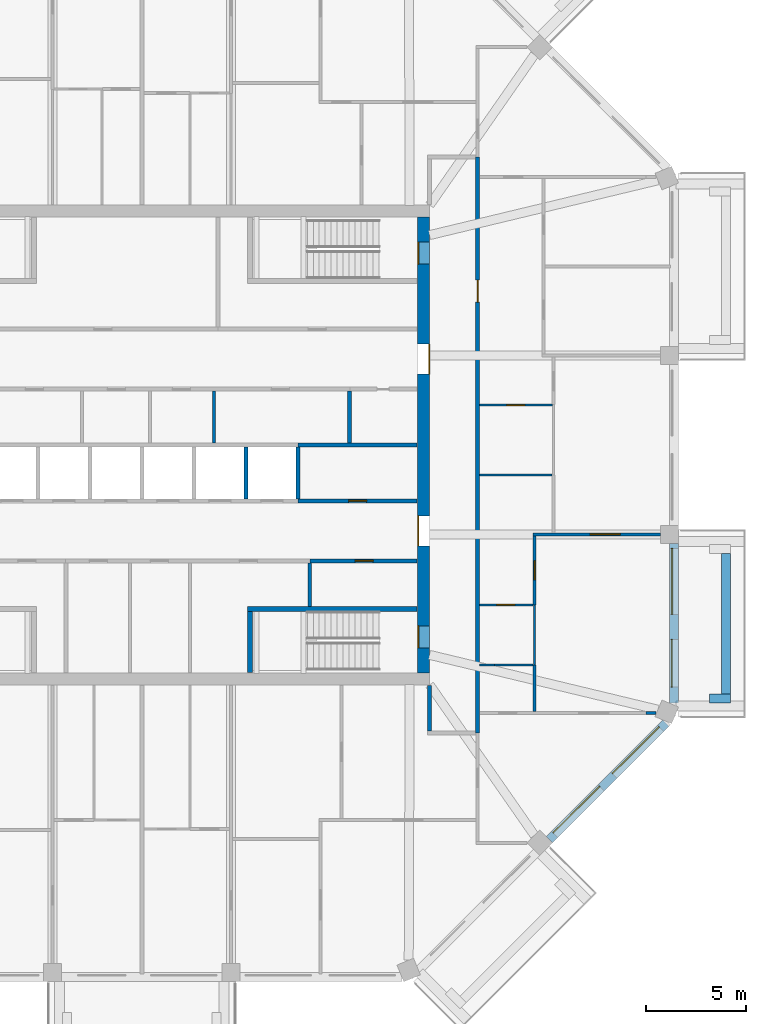
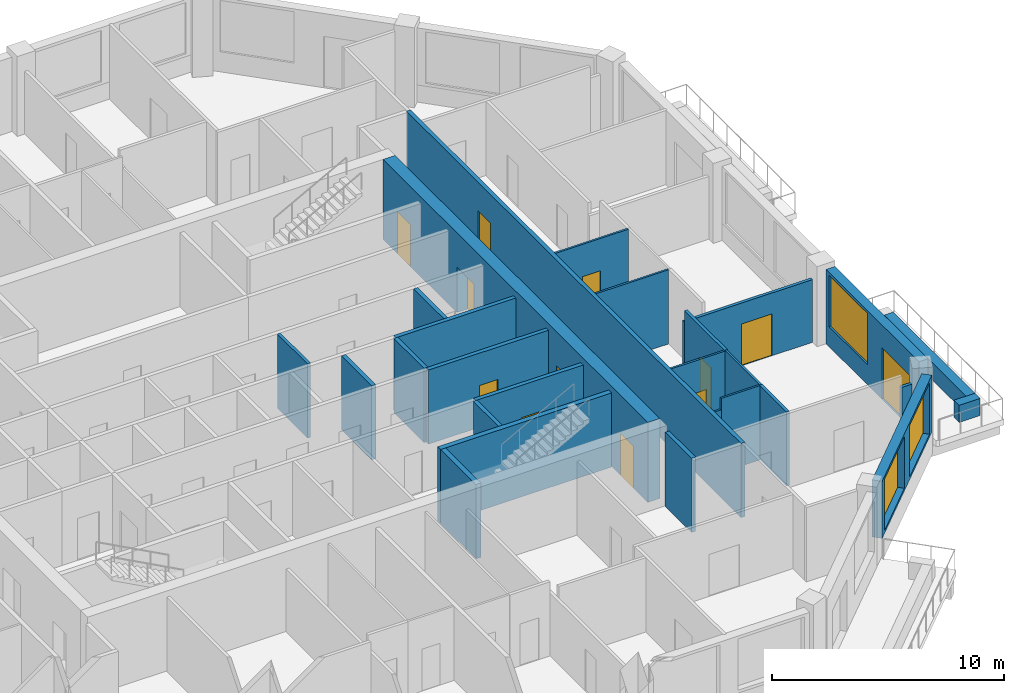
# One storey, part 6 of 12: 27 walls, 12 doors, 3 windows, 15 openings.
"""IFC4 building model written with IfcOpenShell, lengths in metres."""

from ifc_helpers import new_model, si_unit, direction, frame, frame_2d, origin, place, context, subcontext, project, spatial, rectangle, extrude, material, layer, layer_set, type_object, element, fill, save


model = new_model("IFC4")

# Units and contexts
model_context = context("Model", 3, precision=1e-05, world=origin(), true_north=direction((0.0, 1.0)))
body_context = subcontext(model_context, "Body", "Model", "MODEL_VIEW")
ifc_project = project(units=[si_unit("LENGTHUNIT", "METRE"), si_unit("AREAUNIT", "SQUARE_METRE"), si_unit("VOLUMEUNIT", "CUBIC_METRE"), si_unit("PLANEANGLEUNIT", "RADIAN"), si_unit("MASSUNIT", "GRAM", prefix="KILO")], contexts=[model_context])

# Site, building, storey
site_placement = place(None, origin())
site = spatial("IfcSite", under=ifc_project, at=site_placement, CompositionType="ELEMENT")
building_placement = place(site_placement, origin())
building = spatial("IfcBuilding", under=site, at=building_placement, Name="Msitu Wima Residences", CompositionType="ELEMENT")
storey_placement = place(building_placement, frame((0.0, 0.0, 310.5)))
storey = spatial("IfcBuildingStorey", under=building, at=storey_placement, Name="L72", CompositionType="ELEMENT", Elevation=310.5)

# Walls
ifc_material_1 = material(Name="Facing brick")
ifc_layer_1 = layer(ifc_material_1, 0.06494140625, Name="Facing brick")
ifc_material_2 = material(Name="Concrete C40/50", Category="concrete")
ifc_layer_2 = layer(ifc_material_2, 0.156005859375, Name="Concrete C40/50")
ifc_material_3 = material(Name="Waterproofing membrane")
ifc_layer_3 = layer(ifc_material_3, 0.00390625, Name="Waterproofing membrane")
ifc_material_4 = material(Name="Planting soil and planting")
ifc_layer_4 = layer(ifc_material_4, 0.22509765625, Name="Planting soil and planting")
ifc_layer_set_1 = layer_set([ifc_layer_1, ifc_layer_2, ifc_layer_3, ifc_layer_4], Name="Concrete C40/50")
wall_type_1 = type_object("IfcWallType", Name="Balcony planter PLANTER PL450", PredefinedType="USERDEFINED", material=ifc_layer_set_1)
wall_1_placement = place(storey_placement, frame((29.22509765625, -12.455810546875, 0.0), z_axis=(0.0, 0.0, 1.0), x_axis=(0.0, 1.0, 0.0)))
element("IfcWall", 1, at=wall_1_placement, inside=storey, type_object=wall_type_1, Name="Balcony planter E0 L72", ObjectType="PLANTER", PredefinedType="USERDEFINED", context=body_context, shape_type="SweptSolid", body=[
    extrude(rectangle(XDim=7.037109375, YDim=0.449951171875, at=frame_2d((3.5185546875, 0.0))), origin(), (0.0, 0.0, 1.0), 0.89990234375),
])
wall_2_placement = place(storey_placement, frame((28.39990234375, -12.680908203125, 0.0), z_axis=(0.0, 0.0, 1.0), x_axis=(1.0, 0.0, 0.0)))
element("IfcWall", 2, at=wall_2_placement, inside=storey, type_object=wall_type_1, Name="Balcony planter E0 L72", ObjectType="PLANTER", PredefinedType="USERDEFINED", context=body_context, shape_type="SweptSolid", body=[
    extrude(rectangle(XDim=1.050048828125, YDim=0.449951171875, at=frame_2d((0.52490234375, 0.0))), origin(), (0.0, 0.0, 1.0), 0.89990234375),
])

# Wall, openings, door, window
ifc_material_5 = material(Name="Brick (red buff mix)", Category="masonry")
ifc_layer_5 = layer(ifc_material_5, 0.449951171875)
ifc_layer_set_2 = layer_set([ifc_layer_5], Name="Brick (red buff mix)")
wall_type_2 = type_object("IfcWallType", Name="Brick infill wall BW450", PredefinedType="SOLIDWALL", material=ifc_layer_set_2)
wall_3_placement = place(storey_placement, frame((26.625, -12.918701171875, 0.0), z_axis=(0.0, 0.0, 1.0), x_axis=(0.0, 1.0, 0.0)))
wall_3 = element("IfcWall", 3, at=wall_3_placement, inside=storey, type_object=wall_type_2, Name="Brick infill wall L72 E0", PredefinedType="SOLIDWALL", context=body_context, shape_type="SweptSolid", body=[
    extrude(rectangle(XDim=8.0, YDim=0.449951171875, at=frame_2d((4.0, 0.0))), origin(), (0.0, 0.0, 1.0), 3.89990234375),
])
opening_1_placement = place(wall_3_placement, frame((0.800048828125, 0.0, 0.0)))
opening_1 = element("IfcOpeningElement", 4, at=opening_1_placement, cuts=wall_3, Name="Opening D72.001", PredefinedType="OPENING", context=body_context, shape_type="SweptSolid", body=[
    extrude(rectangle(XDim=2.39990234375, YDim=2.699951171875, at=frame_2d((1.199951171875, 1.35009765625))), frame((0.0, 0.23486328125, 0.0), z_axis=(0.0, -1.0, 0.0), x_axis=(1.0, 0.0, 0.0)), (0.0, 0.0, 1.0), 0.469970703125),
])
opening_2_placement = place(wall_3_placement, frame((4.4501953125, 0.0, 1.050048828125)))
opening_2 = element("IfcOpeningElement", 5, at=opening_2_placement, cuts=wall_3, Name="Opening W72.001", PredefinedType="OPENING", context=body_context, shape_type="SweptSolid", body=[
    extrude(rectangle(XDim=3.300048828125, YDim=2.699951171875, at=frame_2d((1.64990234375, 1.35009765625))), frame((0.0, 0.23486328125, 0.0), z_axis=(0.0, -1.0, 0.0), x_axis=(1.0, 0.0, 0.0)), (0.0, 0.0, 1.0), 0.469970703125),
])
ifc_material_6 = material(Name="Anodised aluminium, bronze finish, clear low-emissivity double glazing", Category="aluminium")
door_type_1 = type_object("IfcDoorType", Name="Balcony door D2400x2700", OperationType="SLIDING_TO_LEFT", PredefinedType="DOOR", material=ifc_material_6)
door_1_placement = place(opening_1_placement, origin())
door_1 = element("IfcDoor", 6, at=door_1_placement, inside=storey, type_object=door_type_1, Name="Balcony door L72 E0", OperationType="SINGLE_SWING_LEFT", OverallHeight=2.699951171875, OverallWidth=2.39990234375, PredefinedType="DOOR", context=body_context, shape_type="SweptSolid", body=[
    extrude(rectangle(XDim=2.39990234375, YDim=2.699951171875, at=frame_2d((1.199951171875, 1.35009765625))), frame((0.0, 0.1298828125, 0.0), z_axis=(0.0, -1.0, 0.0), x_axis=(1.0, 0.0, 0.0)), (0.0, 0.0, 1.0), 0.050048828125),
])
fill(opening_1, door_1)
window_type = type_object("IfcWindowType", Name="Window W3300x2700", PartitioningType="DOUBLE_PANEL_VERTICAL", PredefinedType="WINDOW", material=ifc_material_6)
window_1_placement = place(opening_2_placement, origin())
window_1 = element("IfcWindow", 7, at=window_1_placement, inside=storey, type_object=window_type, Name="Window L72 E0.2", OverallHeight=2.699951171875, OverallWidth=3.300048828125, PartitioningType="SINGLE_PANEL", PredefinedType="WINDOW", context=body_context, shape_type="SweptSolid", body=[
    extrude(rectangle(XDim=3.300048828125, YDim=2.699951171875, at=frame_2d((1.64990234375, 1.35009765625))), frame((0.0, 0.135009765625, 0.0), z_axis=(0.0, -1.0, 0.0), x_axis=(1.0, 0.0, 0.0)), (0.0, 0.0, 1.0), 0.06005859375),
])
fill(opening_2, window_1)

# Wall, openings, windows
wall_4_placement = place(storey_placement, frame((20.380126953125, -19.743896484375, 0.89990234375), z_axis=(0.0, 0.0, 1.0), x_axis=(0.707106781187, 0.707106781187, 0.0)))
wall_4 = element("IfcWall", 8, at=wall_4_placement, inside=storey, type_object=wall_type_2, Name="Brick infill wall L72 SE1", PredefinedType="SOLIDWALL", context=body_context, shape_type="SweptSolid", body=[
    extrude(rectangle(XDim=8.251220703125, YDim=0.449951171875, at=frame_2d((4.12548828125, 0.0))), origin(), (0.0, 0.0, 1.0), 3.0),
])
opening_3_placement = place(wall_4_placement, frame((0.37548828125, 0.0, 0.14990234375)))
opening_3 = element("IfcOpeningElement", 9, at=opening_3_placement, cuts=wall_4, Name="Opening W72.022", PredefinedType="OPENING", context=body_context, shape_type="SweptSolid", body=[
    extrude(rectangle(XDim=3.300048828125, YDim=2.699951171875, at=frame_2d((1.64990234375, 1.35009765625))), frame((0.0, 0.23486328125, 0.0), z_axis=(0.0, -1.0, 0.0), x_axis=(1.0, 0.0, 0.0)), (0.0, 0.0, 1.0), 0.469970703125),
])
opening_4_placement = place(wall_4_placement, frame((4.57568359375, 0.0, 0.14990234375)))
opening_4 = element("IfcOpeningElement", 10, at=opening_4_placement, cuts=wall_4, Name="Opening W72.023", PredefinedType="OPENING", context=body_context, shape_type="SweptSolid", body=[
    extrude(rectangle(XDim=3.300048828125, YDim=2.699951171875, at=frame_2d((1.64990234375, 1.35009765625))), frame((0.0, 0.23486328125, 0.0), z_axis=(0.0, -1.0, 0.0), x_axis=(1.0, 0.0, 0.0)), (0.0, 0.0, 1.0), 0.469970703125),
])
window_2_placement = place(opening_3_placement, origin())
window_2 = element("IfcWindow", 11, at=window_2_placement, inside=storey, type_object=window_type, Name="Window L72 SE1.1", OverallHeight=2.699951171875, OverallWidth=3.300048828125, PartitioningType="SINGLE_PANEL", PredefinedType="WINDOW", context=body_context, shape_type="SweptSolid", body=[
    extrude(rectangle(XDim=3.300048828125, YDim=2.699951171875, at=frame_2d((1.64990234375, 1.35009765625))), frame((0.0, 0.135009765625, 0.0), z_axis=(0.0, -1.0, 0.0), x_axis=(1.0, 0.0, 0.0)), (0.0, 0.0, 1.0), 0.06005859375),
])
fill(opening_3, window_2)
window_3_placement = place(opening_4_placement, origin())
window_3 = element("IfcWindow", 12, at=window_3_placement, inside=storey, type_object=window_type, Name="Window L72 SE1.2", OverallHeight=2.699951171875, OverallWidth=3.300048828125, PartitioningType="SINGLE_PANEL", PredefinedType="WINDOW", context=body_context, shape_type="SweptSolid", body=[
    extrude(rectangle(XDim=3.300048828125, YDim=2.699951171875, at=frame_2d((1.64990234375, 1.35009765625))), frame((0.0, 0.135009765625, 0.0), z_axis=(0.0, -1.0, 0.0), x_axis=(1.0, 0.0, 0.0)), (0.0, 0.0, 1.0), 0.06005859375),
])
fill(opening_4, window_3)

# Wall, openings, doors
ifc_material_7 = material(Name="Concrete C50/60", Category="concrete")
ifc_layer_6 = layer(ifc_material_7, 0.60009765625)
ifc_layer_set_3 = layer_set([ifc_layer_6], Name="Concrete C50/60")
wall_type_3 = type_object("IfcWallType", Name="Core wall CW600 C50/60", PredefinedType="SHEAR", material=ifc_layer_set_3)
wall_5_placement = place(storey_placement, frame((14.10009765625, -11.39990234375, 0.0), z_axis=(0.0, 0.0, 1.0), x_axis=(0.0, 1.0, 0.0)))
wall_5 = element("IfcWall", 13, at=wall_5_placement, inside=storey, type_object=wall_type_3, Name="Core wall", PredefinedType="SHEAR", context=body_context, shape_type="SweptSolid", body=[
    extrude(rectangle(XDim=22.7998046875, YDim=0.60009765625, at=frame_2d((11.39990234375, 0.0))), origin(), (0.0, 0.0, 1.0), 4.199951171875),
])
opening_5_placement = place(wall_5_placement, frame((20.449951171875, 0.0, 0.0)))
opening_5 = element("IfcOpeningElement", 14, at=opening_5_placement, cuts=wall_5, Name="Opening D72.088", PredefinedType="OPENING", context=body_context, shape_type="SweptSolid", body=[
    extrude(rectangle(XDim=1.10009765625, YDim=2.199951171875, at=frame_2d((0.550048828125, 1.10009765625))), frame((0.0, 0.31005859375, 0.0), z_axis=(0.0, -1.0, 0.0), x_axis=(1.0, 0.0, 0.0)), (0.0, 0.0, 1.0), 0.6201171875),
])
opening_6_placement = place(wall_5_placement, frame((1.25, 0.0, 0.0)))
opening_6 = element("IfcOpeningElement", 15, at=opening_6_placement, cuts=wall_5, Name="Opening D72.089", PredefinedType="OPENING", context=body_context, shape_type="SweptSolid", body=[
    extrude(rectangle(XDim=1.10009765625, YDim=2.199951171875, at=frame_2d((0.550048828125, 1.10009765625))), frame((0.0, 0.31005859375, 0.0), z_axis=(0.0, -1.0, 0.0), x_axis=(1.0, 0.0, 0.0)), (0.0, 0.0, 1.0), 0.6201171875),
])
opening_7_placement = place(wall_5_placement, frame((14.949951171875, 0.0, 0.0)))
opening_7 = element("IfcOpeningElement", 16, at=opening_7_placement, cuts=wall_5, Name="Opening D72.076", PredefinedType="OPENING", context=body_context, shape_type="SweptSolid", body=[
    extrude(rectangle(XDim=1.5, YDim=2.39990234375, at=frame_2d((0.75, 1.199951171875))), frame((0.0, 0.31005859375, 0.0), z_axis=(0.0, -1.0, 0.0), x_axis=(1.0, 0.0, 0.0)), (0.0, 0.0, 1.0), 0.6201171875),
])
opening_8_placement = place(wall_5_placement, frame((6.35009765625, 0.0, 0.0)))
opening_8 = element("IfcOpeningElement", 17, at=opening_8_placement, cuts=wall_5, Name="Opening D72.077", PredefinedType="OPENING", context=body_context, shape_type="SweptSolid", body=[
    extrude(rectangle(XDim=1.5, YDim=2.39990234375, at=frame_2d((0.75, 1.199951171875))), frame((0.0, 0.31005859375, 0.0), z_axis=(0.0, -1.0, 0.0), x_axis=(1.0, 0.0, 0.0)), (0.0, 0.0, 1.0), 0.6201171875),
])
ifc_material_8 = material(Name="Steel framed glazed door, fire resisting", Category="steel")
door_type_2 = type_object("IfcDoorType", Name="Lobby door D07 1500x2400", OperationType="DOUBLE_DOOR_SINGLE_SWING", PredefinedType="DOOR", material=ifc_material_8)
door_2_placement = place(opening_7_placement, origin())
door_2 = element("IfcDoor", 18, at=door_2_placement, inside=storey, type_object=door_type_2, Name="Lobby door", OperationType="DOUBLE_DOOR_SINGLE_SWING", OverallHeight=2.39990234375, OverallWidth=1.5, PredefinedType="DOOR", context=body_context, shape_type="SweptSolid", body=[
    extrude(rectangle(XDim=1.5, YDim=2.39990234375, at=frame_2d((0.75, 1.199951171875))), frame((0.0, -0.2451171875, 0.0), z_axis=(0.0, -1.0, 0.0), x_axis=(1.0, 0.0, 0.0)), (0.0, 0.0, 1.0), 0.050048828125),
])
fill(opening_7, door_2)
door_3_placement = place(opening_8_placement, origin())
door_3 = element("IfcDoor", 19, at=door_3_placement, inside=storey, type_object=door_type_2, Name="Lobby door", OperationType="DOUBLE_DOOR_SINGLE_SWING", OverallHeight=2.39990234375, OverallWidth=1.5, PredefinedType="DOOR", context=body_context, shape_type="SweptSolid", body=[
    extrude(rectangle(XDim=1.5, YDim=2.39990234375, at=frame_2d((0.75, 1.199951171875))), frame((0.0, 0.294921875, 0.0), z_axis=(0.0, -1.0, 0.0), x_axis=(1.0, 0.0, 0.0)), (0.0, 0.0, 1.0), 0.050048828125),
])
fill(opening_8, door_3)
ifc_material_9 = material(Name="Steel door, fire resisting, panic bar", Category="steel")
door_type_3 = type_object("IfcDoorType", Name="Stair door D06 1100x2200", OperationType="SINGLE_SWING_LEFT", PredefinedType="DOOR", material=ifc_material_9)
door_4_placement = place(opening_5_placement, origin())
door_4 = element("IfcDoor", 20, at=door_4_placement, inside=storey, type_object=door_type_3, Name="Stair door", OperationType="SINGLE_SWING_LEFT", OverallHeight=2.199951171875, OverallWidth=1.10009765625, PredefinedType="DOOR", context=body_context, shape_type="SweptSolid", body=[
    extrude(rectangle(XDim=1.10009765625, YDim=2.199951171875, at=frame_2d((0.550048828125, 1.10009765625))), frame((0.0, 0.294921875, 0.0), z_axis=(0.0, -1.0, 0.0), x_axis=(1.0, 0.0, 0.0)), (0.0, 0.0, 1.0), 0.050048828125),
])
fill(opening_5, door_4)
door_5_placement = place(opening_6_placement, origin())
door_5 = element("IfcDoor", 21, at=door_5_placement, inside=storey, type_object=door_type_3, Name="Stair door", OperationType="SINGLE_SWING_RIGHT", OverallHeight=2.199951171875, OverallWidth=1.10009765625, PredefinedType="DOOR", context=body_context, shape_type="SweptSolid", body=[
    extrude(rectangle(XDim=1.10009765625, YDim=2.199951171875, at=frame_2d((0.550048828125, 1.10009765625))), frame((0.0, 0.294921875, 0.0), z_axis=(0.0, -1.0, 0.0), x_axis=(1.0, 0.0, 0.0)), (0.0, 0.0, 1.0), 0.050048828125),
])
fill(opening_6, door_5)

# Wall
ifc_material_10 = material(Name="Plaster")
ifc_layer_7 = layer(ifc_material_10, 0.011962890625, Name="Plaster")
ifc_material_11 = material(Name="Concrete blockwork", Category="masonry")
ifc_layer_8 = layer(ifc_material_11, 0.176025390625, Name="Concrete blockwork")
ifc_layer_9 = layer(ifc_material_10, 0.011962890625, Name="Plaster")
ifc_layer_set_4 = layer_set([ifc_layer_7, ifc_layer_8, ifc_layer_9], Name="Concrete blockwork")
wall_type_4 = type_object("IfcWallType", Name="Corridor wall FW200", PredefinedType="PARTITIONING", material=ifc_layer_set_4)
wall_6_placement = place(storey_placement, frame((14.39990234375, -14.300048828125, 0.0), z_axis=(0.0, 0.0, 1.0), x_axis=(0.0, 1.0, 0.0)))
element("IfcWall", 22, at=wall_6_placement, inside=storey, type_object=wall_type_4, Name="Corridor wall", PredefinedType="PARTITIONING", context=body_context, shape_type="SweptSolid", body=[
    extrude(rectangle(XDim=2.27001953125, YDim=0.199951171875, at=frame_2d((1.135009765625, 0.0))), origin(), (0.0, 0.0, 1.0), 3.89990234375),
])

# Wall, opening, door
wall_7_placement = place(storey_placement, frame((16.800048828125, -14.39990234375, 0.0), z_axis=(0.0, 0.0, 1.0), x_axis=(0.0, 1.0, 0.0)))
wall_7 = element("IfcWall", 23, at=wall_7_placement, inside=storey, type_object=wall_type_4, Name="Corridor wall", PredefinedType="PARTITIONING", context=body_context, shape_type="SweptSolid", body=[
    extrude(rectangle(XDim=28.7998046875, YDim=0.199951171875, at=frame_2d((14.39990234375, 0.0))), origin(), (0.0, 0.0, 1.0), 3.89990234375),
])
opening_9_placement = place(wall_7_placement, frame((21.550048828125, 0.0, 0.0)))
opening_9 = element("IfcOpeningElement", 24, at=opening_9_placement, cuts=wall_7, Name="Opening D72.011", PredefinedType="OPENING", context=body_context, shape_type="SweptSolid", body=[
    extrude(rectangle(XDim=1.10009765625, YDim=2.39990234375, at=frame_2d((0.550048828125, 1.199951171875))), frame((0.0, 0.10986328125, 0.0), z_axis=(0.0, -1.0, 0.0), x_axis=(1.0, 0.0, 0.0)), (0.0, 0.0, 1.0), 0.219970703125),
])
ifc_material_12 = material(Name="Timber flush door, fire resisting, self-closing", Category="wood")
door_type_4 = type_object("IfcDoorType", Name="Flat entrance door D01 1100x2400", OperationType="SINGLE_SWING_LEFT", PredefinedType="DOOR", material=ifc_material_12)
door_6_placement = place(opening_9_placement, origin())
door_6 = element("IfcDoor", 25, at=door_6_placement, inside=storey, type_object=door_type_4, Name="Flat entrance door", OperationType="SINGLE_SWING_LEFT", OverallHeight=2.39990234375, OverallWidth=1.10009765625, PredefinedType="DOOR", context=body_context, shape_type="SweptSolid", body=[
    extrude(rectangle(XDim=1.10009765625, YDim=2.39990234375, at=frame_2d((0.550048828125, 1.199951171875))), frame((0.0, 0.02490234375, 0.0), z_axis=(0.0, -1.0, 0.0), x_axis=(1.0, 0.0, 0.0)), (0.0, 0.0, 1.0), 0.050048828125),
])
fill(opening_9, door_6)

# Walls
ifc_layer_10 = layer(ifc_material_10, 0.011962890625, Name="Plaster")
ifc_layer_11 = layer(ifc_material_11, 0.1259765625, Name="Concrete blockwork")
ifc_layer_12 = layer(ifc_material_10, 0.011962890625, Name="Plaster")
ifc_layer_set_5 = layer_set([ifc_layer_10, ifc_layer_11, ifc_layer_12], Name="Concrete blockwork")
wall_type_5 = type_object("IfcWallType", Name="Partition PW150", PredefinedType="PARTITIONING", material=ifc_layer_set_5)
wall_8_placement = place(storey_placement, frame((3.60009765625, 0.10009765625, 0.0), z_axis=(0.0, 0.0, 1.0), x_axis=(0.0, 1.0, 0.0)))
element("IfcWall", 26, at=wall_8_placement, inside=storey, type_object=wall_type_5, Name="Partition", PredefinedType="PARTITIONING", context=body_context, shape_type="SweptSolid", body=[
    extrude(rectangle(XDim=2.599853515625, YDim=0.14990234375, at=frame_2d((1.2998046875, 0.0))), origin(), (0.0, 0.0, 1.0), 3.89990234375),
])
wall_9_placement = place(storey_placement, frame((25.22412109375, -13.406005859375, 0.0), z_axis=(0.0, 0.0, 1.0), x_axis=(1.0, 0.0, 0.0)))
element("IfcWall", 27, at=wall_9_placement, inside=storey, type_object=wall_type_5, Name="Partition", PredefinedType="PARTITIONING", context=body_context, shape_type="SweptSolid", body=[
    extrude(rectangle(XDim=0.507080078125, YDim=0.14990234375, at=frame_2d((0.25341796875, 0.0))), origin(), (0.0, 0.0, 1.0), 3.300048828125),
])
wall_10_placement = place(storey_placement, frame((19.64990234375, -13.330810546875, 0.0), z_axis=(0.0, 0.0, 1.0), x_axis=(0.0, 1.0, 0.0)))
element("IfcWall", 28, at=wall_10_placement, inside=storey, type_object=wall_type_5, Name="Partition", PredefinedType="PARTITIONING", context=body_context, shape_type="SweptSolid", body=[
    extrude(rectangle(XDim=2.330810546875, YDim=0.14990234375, at=frame_2d((1.16552734375, 0.0))), origin(), (0.0, 0.0, 1.0), 3.89990234375),
])

# Wall, opening, door
wall_11_placement = place(storey_placement, frame((19.64990234375, -8.0, 0.0), z_axis=(0.0, 0.0, 1.0), x_axis=(0.0, 1.0, 0.0)))
wall_11 = element("IfcWall", 29, at=wall_11_placement, inside=storey, type_object=wall_type_5, Name="Partition", PredefinedType="PARTITIONING", context=body_context, shape_type="SweptSolid", body=[
    extrude(rectangle(XDim=3.456298828125, YDim=0.14990234375, at=frame_2d((1.72802734375, 0.0))), origin(), (0.0, 0.0, 1.0), 3.89990234375),
])
opening_10_placement = place(wall_11_placement, frame((1.25, 0.0, 0.0)))
opening_10 = element("IfcOpeningElement", 30, at=opening_10_placement, cuts=wall_11, Name="Opening D72.015", PredefinedType="OPENING", context=body_context, shape_type="SweptSolid", body=[
    extrude(rectangle(XDim=0.949951171875, YDim=2.199951171875, at=frame_2d((0.47509765625, 1.10009765625))), frame((0.0, 0.0849609375, 0.0), z_axis=(0.0, -1.0, 0.0), x_axis=(1.0, 0.0, 0.0)), (0.0, 0.0, 1.0), 0.169921875),
])
ifc_material_13 = material(Name="Timber flush door", Category="wood")
door_type_5 = type_object("IfcDoorType", Name="Room door D12 950x2200", OperationType="SINGLE_SWING_LEFT", PredefinedType="DOOR", material=ifc_material_13)
door_7_placement = place(opening_10_placement, origin())
door_7 = element("IfcDoor", 31, at=door_7_placement, inside=storey, type_object=door_type_5, Name="Room door", OperationType="SINGLE_SWING_LEFT", OverallHeight=2.199951171875, OverallWidth=0.949951171875, PredefinedType="DOOR", context=body_context, shape_type="SweptSolid", body=[
    extrude(rectangle(XDim=0.949951171875, YDim=2.199951171875, at=frame_2d((0.47509765625, 1.10009765625))), frame((0.0, 0.02490234375, 0.0), z_axis=(0.0, -1.0, 0.0), x_axis=(1.0, 0.0, 0.0)), (0.0, 0.0, 1.0), 0.050048828125),
])
fill(opening_10, door_7)

wall_12_placement = place(storey_placement, frame((19.574951171875, -4.46875, 0.0), z_axis=(0.0, 0.0, 1.0), x_axis=(1.0, 0.0, 0.0)))
wall_12 = element("IfcWall", 32, at=wall_12_placement, inside=storey, type_object=wall_type_5, Name="Partition", PredefinedType="PARTITIONING", context=body_context, shape_type="SweptSolid", body=[
    extrude(rectangle(XDim=6.375, YDim=0.14990234375, at=frame_2d((3.1875, 0.0))), origin(), (0.0, 0.0, 1.0), 3.300048828125),
])
opening_11_placement = place(wall_12_placement, frame((2.85009765625, 0.0, 0.0)))
opening_11 = element("IfcOpeningElement", 33, at=opening_11_placement, cuts=wall_12, Name="Opening D72.033", PredefinedType="OPENING", context=body_context, shape_type="SweptSolid", body=[
    extrude(rectangle(XDim=1.5, YDim=2.199951171875, at=frame_2d((0.75, 1.10009765625))), frame((0.0, 0.0849609375, 0.0), z_axis=(0.0, -1.0, 0.0), x_axis=(1.0, 0.0, 0.0)), (0.0, 0.0, 1.0), 0.169921875),
])
ifc_material_14 = material(Name="Timber double door", Category="wood")
door_type_6 = type_object("IfcDoorType", Name="Double door D04 1500x2200", OperationType="DOUBLE_DOOR_SINGLE_SWING", PredefinedType="DOOR", material=ifc_material_14)
door_8_placement = place(opening_11_placement, origin())
door_8 = element("IfcDoor", 34, at=door_8_placement, inside=storey, type_object=door_type_6, Name="Double door", OperationType="DOUBLE_DOOR_SINGLE_SWING", OverallHeight=2.199951171875, OverallWidth=1.5, PredefinedType="DOOR", context=body_context, shape_type="SweptSolid", body=[
    extrude(rectangle(XDim=1.5, YDim=2.199951171875, at=frame_2d((0.75, 1.10009765625))), frame((0.0, 0.02490234375, 0.0), z_axis=(0.0, -1.0, 0.0), x_axis=(1.0, 0.0, 0.0)), (0.0, 0.0, 1.0), 0.050048828125),
])
fill(opening_11, door_8)

ifc_layer_13 = layer(ifc_material_10, 0.011962890625, Name="Plaster")
ifc_material_15 = material(Name="Reinforced concrete blockwork", Category="masonry")
ifc_layer_14 = layer(ifc_material_15, 0.176025390625, Name="Reinforced concrete blockwork")
ifc_layer_15 = layer(ifc_material_10, 0.011962890625, Name="Plaster")
ifc_layer_set_6 = layer_set([ifc_layer_13, ifc_layer_14, ifc_layer_15], Name="Reinforced concrete blockwork")
wall_type_6 = type_object("IfcWallType", Name="Plant and riser wall PL200", PredefinedType="PARTITIONING", material=ifc_layer_set_6)
wall_13_placement = place(storey_placement, frame((7.800048828125, -2.800048828125, 0.0), z_axis=(0.0, 0.0, 1.0), x_axis=(1.0, 0.0, 0.0)))
wall_13 = element("IfcWall", 35, at=wall_13_placement, inside=storey, type_object=wall_type_6, Name="Plant and riser wall", PredefinedType="PARTITIONING", context=body_context, shape_type="SweptSolid", body=[
    extrude(rectangle(XDim=5.969970703125, YDim=0.199951171875, at=frame_2d((2.98486328125, 0.0))), origin(), (0.0, 0.0, 1.0), 3.89990234375),
])
opening_12_placement = place(wall_13_placement, frame((2.550048828125, 0.0, 0.0)))
opening_12 = element("IfcOpeningElement", 36, at=opening_12_placement, cuts=wall_13, Name="Opening D72.064", PredefinedType="OPENING", context=body_context, shape_type="SweptSolid", body=[
    extrude(rectangle(XDim=0.89990234375, YDim=2.199951171875, at=frame_2d((0.449951171875, 1.10009765625))), frame((0.0, 0.10986328125, 0.0), z_axis=(0.0, -1.0, 0.0), x_axis=(1.0, 0.0, 0.0)), (0.0, 0.0, 1.0), 0.219970703125),
])
door_type_7 = type_object("IfcDoorType", Name="Service door D05 900x2200", OperationType="SINGLE_SWING_LEFT", PredefinedType="DOOR", material=ifc_material_13)
door_9_placement = place(opening_12_placement, origin())
door_9 = element("IfcDoor", 37, at=door_9_placement, inside=storey, type_object=door_type_7, Name="Service door", OperationType="SINGLE_SWING_LEFT", OverallHeight=2.199951171875, OverallWidth=0.89990234375, PredefinedType="DOOR", context=body_context, shape_type="SweptSolid", body=[
    extrude(rectangle(XDim=0.89990234375, YDim=2.199951171875, at=frame_2d((0.449951171875, 1.10009765625))), frame((0.0, 0.02490234375, 0.0), z_axis=(0.0, -1.0, 0.0), x_axis=(1.0, 0.0, 0.0)), (0.0, 0.0, 1.0), 0.050048828125),
])
fill(opening_12, door_9)

# Wall
wall_14_placement = place(storey_placement, frame((7.800048828125, 0.0, 0.0), z_axis=(0.0, 0.0, 1.0), x_axis=(1.0, 0.0, 0.0)))
element("IfcWall", 38, at=wall_14_placement, inside=storey, type_object=wall_type_6, Name="Plant and riser wall", PredefinedType="PARTITIONING", context=body_context, shape_type="SweptSolid", body=[
    extrude(rectangle(XDim=5.969970703125, YDim=0.199951171875, at=frame_2d((2.98486328125, 0.0))), origin(), (0.0, 0.0, 1.0), 3.89990234375),
])

# Wall, opening, door
wall_15_placement = place(storey_placement, frame((8.419921875, -5.800048828125, 0.0), z_axis=(0.0, 0.0, 1.0), x_axis=(1.0, 0.0, 0.0)))
wall_15 = element("IfcWall", 39, at=wall_15_placement, inside=storey, type_object=wall_type_6, Name="Plant and riser wall", PredefinedType="PARTITIONING", context=body_context, shape_type="SweptSolid", body=[
    extrude(rectangle(XDim=5.35009765625, YDim=0.199951171875, at=frame_2d((2.675048828125, 0.0))), origin(), (0.0, 0.0, 1.0), 3.89990234375),
])
opening_13_placement = place(wall_15_placement, frame((2.25, 0.0, 0.0)))
opening_13 = element("IfcOpeningElement", 40, at=opening_13_placement, cuts=wall_15, Name="Opening D72.075", PredefinedType="OPENING", context=body_context, shape_type="SweptSolid", body=[
    extrude(rectangle(XDim=0.89990234375, YDim=2.199951171875, at=frame_2d((0.449951171875, 1.10009765625))), frame((0.0, 0.10986328125, 0.0), z_axis=(0.0, -1.0, 0.0), x_axis=(1.0, 0.0, 0.0)), (0.0, 0.0, 1.0), 0.219970703125),
])
door_10_placement = place(opening_13_placement, origin())
door_10 = element("IfcDoor", 41, at=door_10_placement, inside=storey, type_object=door_type_7, Name="Service door", OperationType="SINGLE_SWING_RIGHT", OverallHeight=2.199951171875, OverallWidth=0.89990234375, PredefinedType="DOOR", context=body_context, shape_type="SweptSolid", body=[
    extrude(rectangle(XDim=0.89990234375, YDim=2.199951171875, at=frame_2d((0.449951171875, 1.10009765625))), frame((0.0, 0.02490234375, 0.0), z_axis=(0.0, -1.0, 0.0), x_axis=(1.0, 0.0, 0.0)), (0.0, 0.0, 1.0), 0.050048828125),
])
fill(opening_13, door_10)

# Walls
wall_16_placement = place(storey_placement, frame((8.39990234375, -8.074951171875, 0.0), z_axis=(0.0, 0.0, 1.0), x_axis=(0.0, 1.0, 0.0)))
element("IfcWall", 42, at=wall_16_placement, inside=storey, type_object=wall_type_6, Name="Plant and riser wall", PredefinedType="PARTITIONING", context=body_context, shape_type="SweptSolid", body=[
    extrude(rectangle(XDim=2.175048828125, YDim=0.199951171875, at=frame_2d((1.08740234375, 0.0))), origin(), (0.0, 0.0, 1.0), 3.89990234375),
])
wall_17_placement = place(storey_placement, frame((10.39990234375, 0.10009765625, 0.0), z_axis=(0.0, 0.0, 1.0), x_axis=(0.0, 1.0, 0.0)))
element("IfcWall", 43, at=wall_17_placement, inside=storey, type_object=wall_type_6, Name="Plant and riser wall", PredefinedType="PARTITIONING", context=body_context, shape_type="SweptSolid", body=[
    extrude(rectangle(XDim=2.599853515625, YDim=0.199951171875, at=frame_2d((1.2998046875, 0.0))), origin(), (0.0, 0.0, 1.0), 3.89990234375),
])
ifc_material_16 = material(Name="Fire-rated board")
ifc_layer_16 = layer(ifc_material_16, 0.02490234375, Name="Fire-rated board")
ifc_material_17 = material(Name="Light-gauge stud framing with mineral wool")
ifc_layer_17 = layer(ifc_material_17, 0.14990234375, Name="Light-gauge stud framing with mineral wool")
ifc_layer_18 = layer(ifc_material_16, 0.02490234375, Name="Fire-rated board")
ifc_layer_set_7 = layer_set([ifc_layer_16, ifc_layer_17, ifc_layer_18], Name="Light-gauge stud framing with mineral wool")
wall_type_7 = type_object("IfcWallType", Name="Shaft wall SH200", PredefinedType="PARTITIONING", material=ifc_layer_set_7)
for number, where, z_axis, x_axis, name in (
    (44, (5.199951171875, -2.699951171875, 0.0), (0.0, 0.0, 1.0), (0.0, 1.0, 0.0), "Shaft wall"),
    (45, (7.800048828125, -2.699951171875, 0.0), (0.0, 0.0, 1.0), (0.0, 1.0, 0.0), "Shaft wall"),
):
    element("IfcWall", number, at=place(storey_placement, frame(where, z_axis=z_axis, x_axis=x_axis)), inside=storey, type_object=wall_type_7, Name=name, PredefinedType="PARTITIONING", context=body_context, shape_type="SweptSolid", body=[
        extrude(rectangle(XDim=2.599853515625, YDim=0.199951171875, at=frame_2d((1.2998046875, 0.0))), origin(), (0.0, 0.0, 1.0), 3.89990234375),
    ])
ifc_layer_19 = layer(ifc_material_7, 0.25)
ifc_layer_set_8 = layer_set([ifc_layer_19], Name="Concrete C50/60")
wall_type_8 = type_object("IfcWallType", Name="Stair enclosure wall SW250", PredefinedType="SHEAR", material=ifc_layer_set_8)
wall_18_placement = place(storey_placement, frame((5.39990234375, -11.3701171875, 0.0), z_axis=(0.0, 0.0, 1.0), x_axis=(0.0, 1.0, 0.0)))
element("IfcWall", 46, at=wall_18_placement, inside=storey, type_object=wall_type_8, Name="Stair enclosure wall", PredefinedType="SHEAR", context=body_context, shape_type="SweptSolid", body=[
    extrude(rectangle(XDim=3.045166015625, YDim=0.25, at=frame_2d((1.5224609375, 0.0))), origin(), (0.0, 0.0, 1.0), 3.89990234375),
])
wall_19_placement = place(storey_placement, frame((5.27490234375, -8.199951171875, 0.0), z_axis=(0.0, 0.0, 1.0), x_axis=(1.0, 0.0, 0.0)))
element("IfcWall", 47, at=wall_19_placement, inside=storey, type_object=wall_type_8, Name="Stair enclosure wall", PredefinedType="SHEAR", context=body_context, shape_type="SweptSolid", body=[
    extrude(rectangle(XDim=8.4951171875, YDim=0.25, at=frame_2d((4.24755859375, 0.0))), origin(), (0.0, 0.0, 1.0), 3.89990234375),
])
ifc_material_18 = material(Name="Ceramic tiles")
ifc_layer_20 = layer(ifc_material_18, 0.008056640625, Name="Ceramic tiles")
ifc_material_19 = material(Name="Moisture-resistant board")
ifc_layer_21 = layer(ifc_material_19, 0.012451171875, Name="Moisture-resistant board")
ifc_layer_22 = layer(ifc_material_17, 0.06689453125, Name="Light-gauge stud framing with mineral wool")
ifc_layer_23 = layer(ifc_material_19, 0.012451171875, Name="Moisture-resistant board")
ifc_layer_set_9 = layer_set([ifc_layer_20, ifc_layer_21, ifc_layer_22, ifc_layer_23], Name="Light-gauge stud framing with mineral wool")
wall_type_9 = type_object("IfcWallType", Name="Wet wall PW100", PredefinedType="PARTITIONING", material=ifc_layer_set_9)
wall_20_placement = place(storey_placement, frame((16.89990234375, -11.0, 0.0), z_axis=(0.0, 0.0, 1.0), x_axis=(1.0, 0.0, 0.0)))
element("IfcWall", 48, at=wall_20_placement, inside=storey, type_object=wall_type_9, Name="Wet wall", PredefinedType="PARTITIONING", context=body_context, shape_type="SweptSolid", body=[
    extrude(rectangle(XDim=0.75390625, YDim=0.10009765625, at=frame_2d((0.376953125, 0.0))), origin(), (0.0, 0.0, 1.0), 3.300048828125),
])
wall_21_placement = place(storey_placement, frame((17.65380859375, -11.0, 0.0), z_axis=(0.0, 0.0, 1.0), x_axis=(1.0, 0.0, 0.0)))
element("IfcWall", 49, at=wall_21_placement, inside=storey, type_object=wall_type_9, Name="Wet wall", PredefinedType="PARTITIONING", context=body_context, shape_type="SweptSolid", body=[
    extrude(rectangle(XDim=1.921142578125, YDim=0.10009765625, at=frame_2d((0.96044921875, 0.0))), origin(), (0.0, 0.0, 1.0), 3.89990234375),
])

# Wall, opening, door
wall_22_placement = place(storey_placement, frame((16.89990234375, -8.0, 0.0), z_axis=(0.0, 0.0, 1.0), x_axis=(1.0, 0.0, 0.0)))
wall_22 = element("IfcWall", 50, at=wall_22_placement, inside=storey, type_object=wall_type_9, Name="Wet wall", PredefinedType="PARTITIONING", context=body_context, shape_type="SweptSolid", body=[
    extrude(rectangle(XDim=2.675048828125, YDim=0.10009765625, at=frame_2d((1.33740234375, 0.0))), origin(), (0.0, 0.0, 1.0), 3.89990234375),
])
opening_14_placement = place(wall_22_placement, frame((0.85009765625, 0.0, 0.0)))
opening_14 = element("IfcOpeningElement", 51, at=opening_14_placement, cuts=wall_22, Name="Opening D72.016", PredefinedType="OPENING", context=body_context, shape_type="SweptSolid", body=[
    extrude(rectangle(XDim=0.89990234375, YDim=2.199951171875, at=frame_2d((0.449951171875, 1.10009765625))), frame((0.0, 0.06005859375, 0.0), z_axis=(0.0, -1.0, 0.0), x_axis=(1.0, 0.0, 0.0)), (0.0, 0.0, 1.0), 0.1201171875),
])
door_11_placement = place(opening_14_placement, origin())
door_11 = element("IfcDoor", 52, at=door_11_placement, inside=storey, type_object=door_type_7, Name="Service door", OperationType="SINGLE_SWING_LEFT", OverallHeight=2.199951171875, OverallWidth=0.89990234375, PredefinedType="DOOR", context=body_context, shape_type="SweptSolid", body=[
    extrude(rectangle(XDim=0.89990234375, YDim=2.199951171875, at=frame_2d((0.449951171875, 1.10009765625))), frame((0.0, 0.02490234375, 0.0), z_axis=(0.0, -1.0, 0.0), x_axis=(1.0, 0.0, 0.0)), (0.0, 0.0, 1.0), 0.050048828125),
])
fill(opening_14, door_11)

# Wall
wall_23_placement = place(storey_placement, frame((16.89990234375, -1.5, 0.0), z_axis=(0.0, 0.0, 1.0), x_axis=(1.0, 0.0, 0.0)))
element("IfcWall", 53, at=wall_23_placement, inside=storey, type_object=wall_type_9, Name="Wet wall", PredefinedType="PARTITIONING", context=body_context, shape_type="SweptSolid", body=[
    extrude(rectangle(XDim=3.625, YDim=0.10009765625, at=frame_2d((1.8125, 0.0))), origin(), (0.0, 0.0, 1.0), 3.89990234375),
])

# Wall, opening, door
wall_24_placement = place(storey_placement, frame((16.89990234375, 2.0, 0.0), z_axis=(0.0, 0.0, 1.0), x_axis=(1.0, 0.0, 0.0)))
wall_24 = element("IfcWall", 54, at=wall_24_placement, inside=storey, type_object=wall_type_9, Name="Wet wall", PredefinedType="PARTITIONING", context=body_context, shape_type="SweptSolid", body=[
    extrude(rectangle(XDim=3.650146484375, YDim=0.10009765625, at=frame_2d((1.8251953125, 0.0))), origin(), (0.0, 0.0, 1.0), 3.89990234375),
])
opening_15_placement = place(wall_24_placement, frame((1.35009765625, 0.0, 0.0)))
opening_15 = element("IfcOpeningElement", 55, at=opening_15_placement, cuts=wall_24, Name="Opening D72.023", PredefinedType="OPENING", context=body_context, shape_type="SweptSolid", body=[
    extrude(rectangle(XDim=0.89990234375, YDim=2.199951171875, at=frame_2d((0.449951171875, 1.10009765625))), frame((0.0, 0.06005859375, 0.0), z_axis=(0.0, -1.0, 0.0), x_axis=(1.0, 0.0, 0.0)), (0.0, 0.0, 1.0), 0.1201171875),
])
ifc_material_20 = material(Name="Timber flush door, moisture resistant", Category="wood")
door_type_8 = type_object("IfcDoorType", Name="Bathroom door D03 900x2200", OperationType="SINGLE_SWING_LEFT", PredefinedType="DOOR", material=ifc_material_20)
door_12_placement = place(opening_15_placement, origin())
door_12 = element("IfcDoor", 56, at=door_12_placement, inside=storey, type_object=door_type_8, Name="Bathroom door", OperationType="SINGLE_SWING_RIGHT", OverallHeight=2.199951171875, OverallWidth=0.89990234375, PredefinedType="DOOR", context=body_context, shape_type="SweptSolid", body=[
    extrude(rectangle(XDim=0.89990234375, YDim=2.199951171875, at=frame_2d((0.449951171875, 1.10009765625))), frame((0.0, 0.02490234375, 0.0), z_axis=(0.0, -1.0, 0.0), x_axis=(1.0, 0.0, 0.0)), (0.0, 0.0, 1.0), 0.050048828125),
])
fill(opening_15, door_12)

# Wall
wall_25_placement = place(storey_placement, frame((19.64990234375, -11.0, 0.0), z_axis=(0.0, 0.0, 1.0), x_axis=(0.0, 1.0, 0.0)))
element("IfcWall", 57, at=wall_25_placement, inside=storey, type_object=wall_type_9, Name="Wet wall", PredefinedType="PARTITIONING", context=body_context, shape_type="SweptSolid", body=[
    extrude(rectangle(XDim=3.0, YDim=0.10009765625, at=frame_2d((1.5, 0.0))), origin(), (0.0, 0.0, 1.0), 3.89990234375),
])

save(model, "model.ifc")
